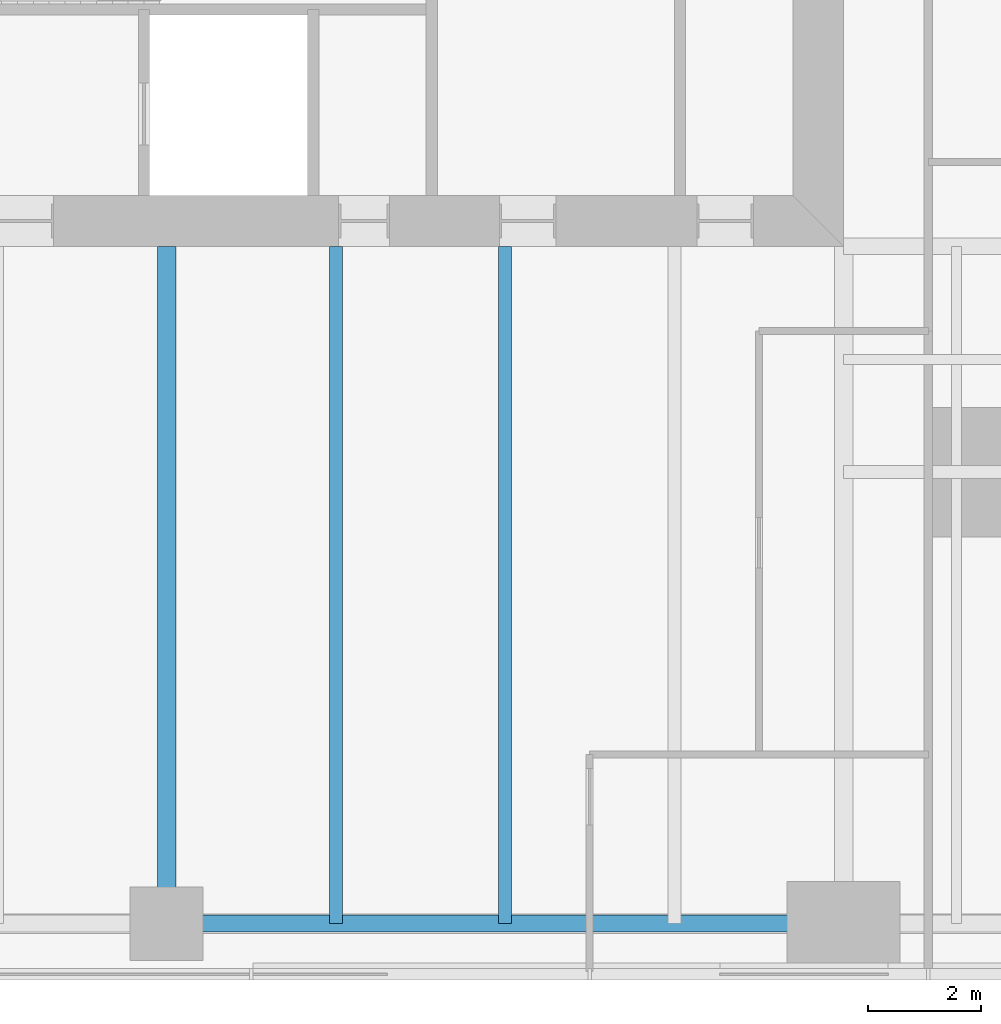
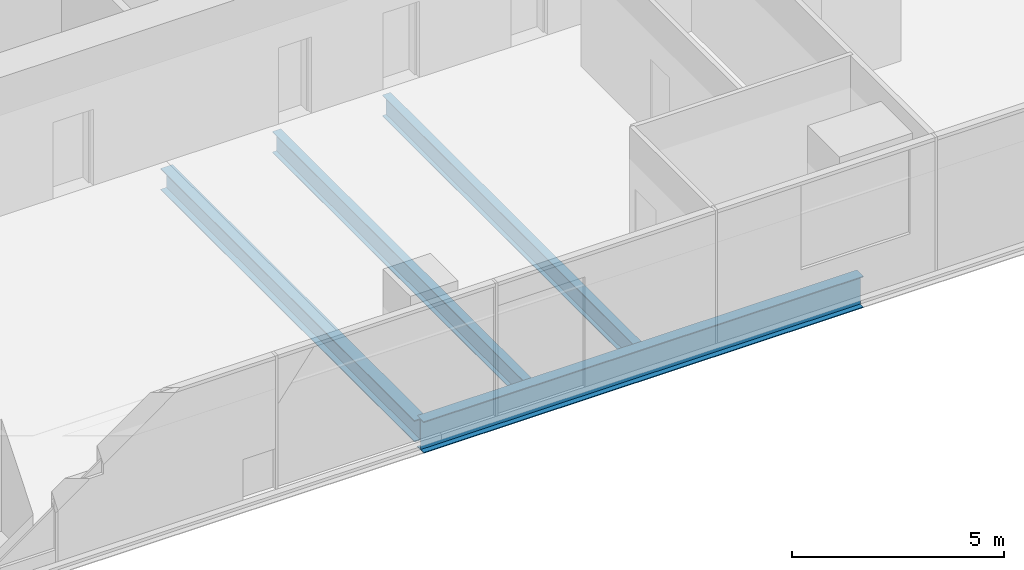
# One storey, part 3 of 14: 4 beams.
"""IFC4 building model written with IfcOpenShell, lengths in metres."""

from ifc_helpers import new_model, si_unit, direction, frame, origin, origin_2d, place, context, subcontext, project, spatial, i_section, extrude, material, material_profile, profile_set, type_object, element, save


model = new_model("IFC4")

# Units and contexts
model_context = context("Model", 3, precision=1e-05, world=origin(), true_north=direction((0.0, 1.0)))
body_context = subcontext(model_context, "Body", "Model", "MODEL_VIEW")
ifc_project = project(units=[si_unit("LENGTHUNIT", "METRE"), si_unit("AREAUNIT", "SQUARE_METRE"), si_unit("VOLUMEUNIT", "CUBIC_METRE"), si_unit("PLANEANGLEUNIT", "RADIAN"), si_unit("MASSUNIT", "GRAM", prefix="KILO")], contexts=[model_context])

# Site, building, storey
site_placement = place(None, origin())
site = spatial("IfcSite", under=ifc_project, at=site_placement, CompositionType="ELEMENT")
building_placement = place(site_placement, origin())
building = spatial("IfcBuilding", under=site, at=building_placement, Name="Fenwick Lantern Interchange", CompositionType="ELEMENT")
storey_placement = place(building_placement, frame((0.0, 0.0, 134.39990234375)))
storey = spatial("IfcBuildingStorey", under=building, at=storey_placement, Name="L31", CompositionType="ELEMENT", Elevation=134.39990234375)

# Beams
ifc_material = material(Name="Steel ASTM A992 Grade 50", Category="steel")
ifc_material_profile_1 = material_profile(ifc_material, i_section(OverallWidth=0.3046875, OverallDepth=0.911865234375, WebThickness=0.015869140625, FlangeThickness=0.02392578125, at=origin_2d()), Name="W36X150")
ifc_profile_set_1 = profile_set([ifc_material_profile_1], Name="Steel ASTM A992 Grade 50")
beam_type_1 = type_object("IfcBeamType", Name="EDGE BEAM W36X150", PredefinedType="SPANDREL", material=ifc_profile_set_1)
beam_1_placement = place(storey_placement, frame((25.0, 1.0, -0.605712890625), z_axis=(1.0, 0.0, 0.0), x_axis=(0.0, 1.0, 0.0)))
element("IfcBeam", 1, at=beam_1_placement, inside=storey, type_object=beam_type_1, Name="L31/FR/S/EB3", PredefinedType="SPANDREL", context=body_context, shape_type="SweptSolid", body=[
    extrude(i_section(OverallWidth=0.3046875, OverallDepth=0.911865234375, WebThickness=0.015869140625, FlangeThickness=0.02392578125, at=origin_2d()), origin(), (0.0, 0.0, 1.0), 12.0),
])
ifc_material_profile_2 = material_profile(ifc_material, i_section(OverallWidth=0.22900390625, OverallDepth=0.612060546875, WebThickness=0.011962890625, FlangeThickness=0.01953125, at=origin_2d()), Name="W24X84")
ifc_profile_set_2 = profile_set([ifc_material_profile_2], Name="Steel ASTM A992 Grade 50")
beam_type_2 = type_object("IfcBeamType", Name="FLOOR BEAM W24X84", PredefinedType="BEAM", material=ifc_profile_set_2)
for number, where, z_axis, x_axis, name in (
    (2, (28.0, 1.0, -0.4560546875), (0.0, 1.0, 0.0), (-1.0, 0.0, 0.0), "L31/FR/S/R06"),
    (3, (31.0, 1.0, -0.4560546875), (0.0, 1.0, 0.0), (-1.0, 0.0, 0.0), "L31/FR/S/R07"),
):
    element("IfcBeam", number, at=place(storey_placement, frame(where, z_axis=z_axis, x_axis=x_axis)), inside=storey, type_object=beam_type_2, Name=name, PredefinedType="BEAM", context=body_context, shape_type="SweptSolid", body=[
        extrude(i_section(OverallWidth=0.22900390625, OverallDepth=0.612060546875, WebThickness=0.011962890625, FlangeThickness=0.01953125, at=origin_2d()), origin(), (0.0, 0.0, 1.0), 12.0),
    ])
ifc_material_profile_3 = material_profile(ifc_material, i_section(OverallWidth=0.32763671875, OverallDepth=0.622314453125, WebThickness=0.015380859375, FlangeThickness=0.0244140625, at=origin_2d()), Name="W24X131")
ifc_profile_set_3 = profile_set([ifc_material_profile_3], Name="Steel ASTM A992 Grade 50")
beam_type_3 = type_object("IfcBeamType", Name="MOMENT-CONNECTED GIRDER W24X131", PredefinedType="BEAM", material=ifc_profile_set_3)
beam_2_placement = place(storey_placement, frame((25.0, 1.0, -0.4609375), z_axis=(0.0, 1.0, 0.0), x_axis=(-1.0, 0.0, 0.0)))
element("IfcBeam", 4, at=beam_2_placement, inside=storey, type_object=beam_type_3, Name="L31/FR/S/R05", PredefinedType="BEAM", context=body_context, shape_type="SweptSolid", body=[
    extrude(i_section(OverallWidth=0.32763671875, OverallDepth=0.622314453125, WebThickness=0.015380859375, FlangeThickness=0.0244140625, at=origin_2d()), origin(), (0.0, 0.0, 1.0), 12.0),
])

save(model, "model.ifc")
